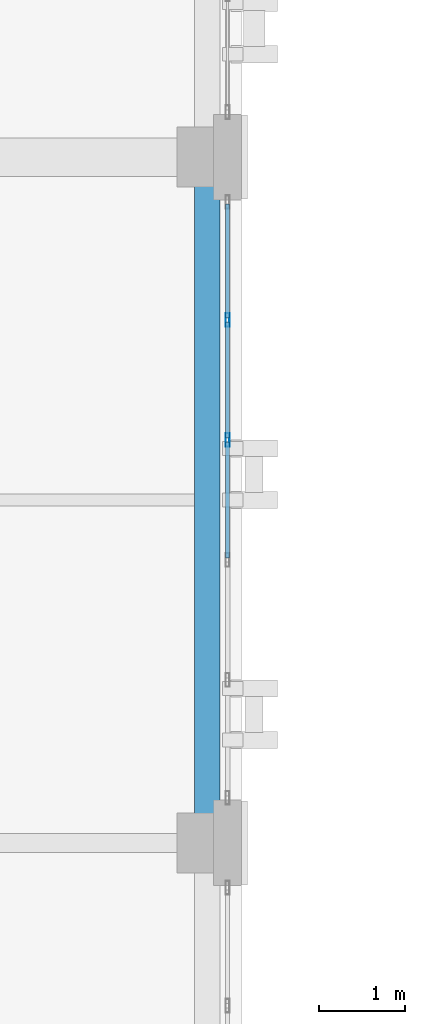
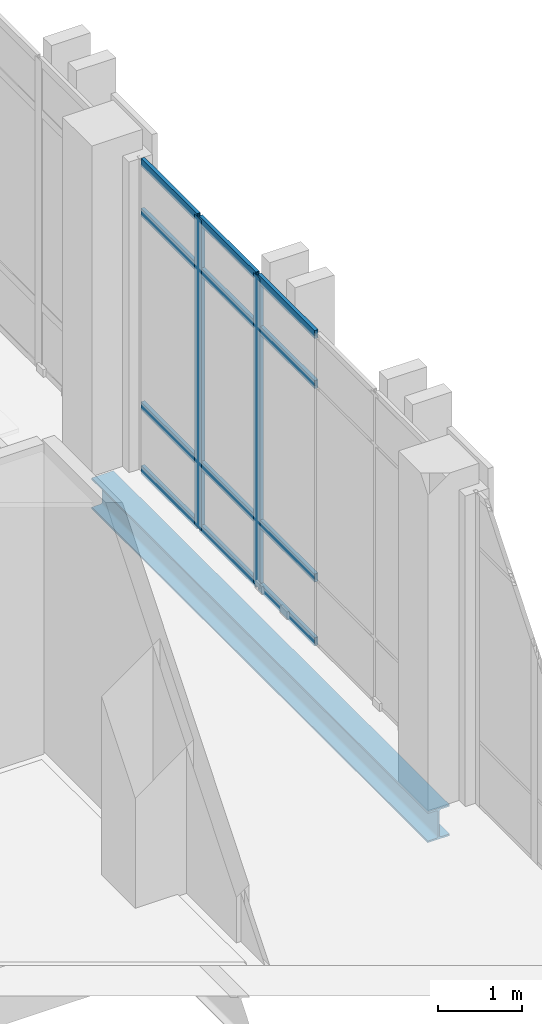
# One storey, part 30 of 189: 14 members, 1 beam, 1 element without a shape of its own.
"""IFC4 building model written with IfcOpenShell, lengths in metres."""

from ifc_helpers import new_model, si_unit, direction, frame, origin, origin_2d, place, context, subcontext, project, spatial, hollow_rectangle, i_section, extrude, material, layer, layer_set, material_profile, profile_set, type_object, element, aggregate, save


model = new_model("IFC4")

# Units and contexts
model_context = context("Model", 3, precision=1e-05, world=origin(), true_north=direction((0.0, 1.0)))
body_context = subcontext(model_context, "Body", "Model", "MODEL_VIEW")
ifc_project = project(units=[si_unit("LENGTHUNIT", "METRE"), si_unit("AREAUNIT", "SQUARE_METRE"), si_unit("VOLUMEUNIT", "CUBIC_METRE"), si_unit("PLANEANGLEUNIT", "RADIAN"), si_unit("MASSUNIT", "GRAM", prefix="KILO")], contexts=[model_context])

# Site, building, storey
site_placement = place(None, origin())
site = spatial("IfcSite", under=ifc_project, at=site_placement, CompositionType="ELEMENT")
building_placement = place(site_placement, origin())
building = spatial("IfcBuilding", under=site, at=building_placement, Name="Qalavern Law Courts", CompositionType="ELEMENT")
storey_placement = place(building_placement, frame((0.0, 0.0, 5.39990234375)))
storey = spatial("IfcBuildingStorey", under=building, at=storey_placement, Name="L01", CompositionType="ELEMENT", Elevation=5.39990234375)

# Curtain wall, members
ifc_material_1 = material(Name="Anodised aluminium and insulated glazing", Category="aluminium")
ifc_layer = layer(ifc_material_1, 0.172119140625)
ifc_layer_set = layer_set([ifc_layer], Name="Anodised aluminium and insulated glazing")
curtain_wall_type = type_object("IfcCurtainWallType", Name="ENV-CW-COURT", PredefinedType="USERDEFINED", material=ifc_layer_set)
curtain_wall_placement = place(storey_placement, origin())
curtain_wall = element("IfcCurtainWall", 1, at=curtain_wall_placement, inside=storey, type_object=curtain_wall_type, Name="V3 unitised curtain wall L01 east 3", ObjectType="UNITISED CURTAIN WALL", PredefinedType="USERDEFINED")
ifc_material_2 = material(Name="Anodised aluminium", Category="aluminium")
ifc_material_profile_1 = material_profile(ifc_material_2, hollow_rectangle(XDim=0.048095703125, YDim=0.159912109375, WallThickness=0.00390625, at=origin_2d()), Name="ALU MULLION 48x160")
ifc_profile_set_1 = profile_set([ifc_material_profile_1], Name="Anodised aluminium")
member_type_1 = type_object("IfcMemberType", Name="ENV-CWM-48x160", PredefinedType="MULLION", material=ifc_profile_set_1)
member_1_placement = place(storey_placement, frame((18.637451171875, 62.10009765625, 0.0), z_axis=(0.0, 0.0, 1.0), x_axis=(-1.0, 0.0, 0.0)))
member_1 = element("IfcMember", 2, at=member_1_placement, type_object=member_type_1, Name="CW-03 mullion 4", PredefinedType="MULLION", context=body_context, shape_type="SweptSolid", body=[
    extrude(hollow_rectangle(XDim=0.048095703125, YDim=0.159912109375, WallThickness=0.00390625, at=origin_2d()), origin(), (0.0, 0.0, 1.0), 4.510009765625),
])
member_2_placement = place(storey_placement, frame((18.637451171875, 63.5, 0.0), z_axis=(0.0, 0.0, 1.0), x_axis=(-1.0, 0.0, 0.0)))
member_2 = element("IfcMember", 3, at=member_2_placement, type_object=member_type_1, Name="CW-03 mullion 5", PredefinedType="MULLION", context=body_context, shape_type="SweptSolid", body=[
    extrude(hollow_rectangle(XDim=0.048095703125, YDim=0.159912109375, WallThickness=0.00390625, at=origin_2d()), origin(), (0.0, 0.0, 1.0), 4.510009765625),
])
ifc_material_profile_2 = material_profile(ifc_material_2, hollow_rectangle(XDim=0.048095703125, YDim=0.1201171875, WallThickness=0.00390625, at=origin_2d()), Name="ALU TRANSOM 48x120")
ifc_profile_set_2 = profile_set([ifc_material_profile_2], Name="Anodised aluminium")
member_type_2 = type_object("IfcMemberType", Name="ENV-CWT-48x120", PredefinedType="USERDEFINED", material=ifc_profile_set_2)
member_3_placement = place(storey_placement, frame((18.637451171875, 60.72412109375, 0.024169921875), z_axis=(0.0, 1.0, 0.0), x_axis=(-1.0, 0.0, 0.0)))
member_3 = element("IfcMember", 4, at=member_3_placement, type_object=member_type_2, Name="CW-03 transom 3.1", ObjectType="TRANSOM", PredefinedType="USERDEFINED", context=body_context, shape_type="SweptSolid", body=[
    extrude(hollow_rectangle(XDim=0.048095703125, YDim=0.1201171875, WallThickness=0.00390625, at=origin_2d()), origin(), (0.0, 0.0, 1.0), 1.351806640625),
])
member_4_placement = place(storey_placement, frame((18.637451171875, 60.72412109375, 0.9501953125), z_axis=(0.0, 1.0, 0.0), x_axis=(-1.0, 0.0, 0.0)))
member_4 = element("IfcMember", 5, at=member_4_placement, type_object=member_type_2, Name="CW-03 transom 3.2", ObjectType="TRANSOM", PredefinedType="USERDEFINED", context=body_context, shape_type="SweptSolid", body=[
    extrude(hollow_rectangle(XDim=0.048095703125, YDim=0.1201171875, WallThickness=0.00390625, at=origin_2d()), origin(), (0.0, 0.0, 1.0), 1.351806640625),
])
member_5_placement = place(storey_placement, frame((18.637451171875, 60.72412109375, 3.760009765625), z_axis=(0.0, 1.0, 0.0), x_axis=(-1.0, 0.0, 0.0)))
member_5 = element("IfcMember", 6, at=member_5_placement, type_object=member_type_2, Name="CW-03 transom 3.3", ObjectType="TRANSOM", PredefinedType="USERDEFINED", context=body_context, shape_type="SweptSolid", body=[
    extrude(hollow_rectangle(XDim=0.048095703125, YDim=0.1201171875, WallThickness=0.00390625, at=origin_2d()), origin(), (0.0, 0.0, 1.0), 1.351806640625),
])
member_6_placement = place(storey_placement, frame((18.637451171875, 60.72412109375, 4.486083984375), z_axis=(0.0, 1.0, 0.0), x_axis=(-1.0, 0.0, 0.0)))
member_6 = element("IfcMember", 7, at=member_6_placement, type_object=member_type_2, Name="CW-03 transom 3.4", ObjectType="TRANSOM", PredefinedType="USERDEFINED", context=body_context, shape_type="SweptSolid", body=[
    extrude(hollow_rectangle(XDim=0.048095703125, YDim=0.1201171875, WallThickness=0.00390625, at=origin_2d()), origin(), (0.0, 0.0, 1.0), 1.351806640625),
])
member_7_placement = place(storey_placement, frame((18.637451171875, 62.1240234375, 0.024169921875), z_axis=(0.0, 1.0, 0.0), x_axis=(-1.0, 0.0, 0.0)))
member_7 = element("IfcMember", 8, at=member_7_placement, type_object=member_type_2, Name="CW-03 transom 4.1", ObjectType="TRANSOM", PredefinedType="USERDEFINED", context=body_context, shape_type="SweptSolid", body=[
    extrude(hollow_rectangle(XDim=0.048095703125, YDim=0.1201171875, WallThickness=0.00390625, at=origin_2d()), origin(), (0.0, 0.0, 1.0), 1.35205078125),
])
member_8_placement = place(storey_placement, frame((18.637451171875, 62.1240234375, 0.9501953125), z_axis=(0.0, 1.0, 0.0), x_axis=(-1.0, 0.0, 0.0)))
member_8 = element("IfcMember", 9, at=member_8_placement, type_object=member_type_2, Name="CW-03 transom 4.2", ObjectType="TRANSOM", PredefinedType="USERDEFINED", context=body_context, shape_type="SweptSolid", body=[
    extrude(hollow_rectangle(XDim=0.048095703125, YDim=0.1201171875, WallThickness=0.00390625, at=origin_2d()), origin(), (0.0, 0.0, 1.0), 1.35205078125),
])
member_9_placement = place(storey_placement, frame((18.637451171875, 62.1240234375, 3.760009765625), z_axis=(0.0, 1.0, 0.0), x_axis=(-1.0, 0.0, 0.0)))
member_9 = element("IfcMember", 10, at=member_9_placement, type_object=member_type_2, Name="CW-03 transom 4.3", ObjectType="TRANSOM", PredefinedType="USERDEFINED", context=body_context, shape_type="SweptSolid", body=[
    extrude(hollow_rectangle(XDim=0.048095703125, YDim=0.1201171875, WallThickness=0.00390625, at=origin_2d()), origin(), (0.0, 0.0, 1.0), 1.35205078125),
])
member_10_placement = place(storey_placement, frame((18.637451171875, 62.1240234375, 4.486083984375), z_axis=(0.0, 1.0, 0.0), x_axis=(-1.0, 0.0, 0.0)))
member_10 = element("IfcMember", 11, at=member_10_placement, type_object=member_type_2, Name="CW-03 transom 4.4", ObjectType="TRANSOM", PredefinedType="USERDEFINED", context=body_context, shape_type="SweptSolid", body=[
    extrude(hollow_rectangle(XDim=0.048095703125, YDim=0.1201171875, WallThickness=0.00390625, at=origin_2d()), origin(), (0.0, 0.0, 1.0), 1.35205078125),
])
member_11_placement = place(storey_placement, frame((18.637451171875, 63.52392578125, 0.024169921875), z_axis=(0.0, 1.0, 0.0), x_axis=(-1.0, 0.0, 0.0)))
member_11 = element("IfcMember", 12, at=member_11_placement, type_object=member_type_2, Name="CW-03 transom 5.1", ObjectType="TRANSOM", PredefinedType="USERDEFINED", context=body_context, shape_type="SweptSolid", body=[
    extrude(hollow_rectangle(XDim=0.048095703125, YDim=0.1201171875, WallThickness=0.00390625, at=origin_2d()), origin(), (0.0, 0.0, 1.0), 1.328125),
])
member_12_placement = place(storey_placement, frame((18.637451171875, 63.52392578125, 0.9501953125), z_axis=(0.0, 1.0, 0.0), x_axis=(-1.0, 0.0, 0.0)))
member_12 = element("IfcMember", 13, at=member_12_placement, type_object=member_type_2, Name="CW-03 transom 5.2", ObjectType="TRANSOM", PredefinedType="USERDEFINED", context=body_context, shape_type="SweptSolid", body=[
    extrude(hollow_rectangle(XDim=0.048095703125, YDim=0.1201171875, WallThickness=0.00390625, at=origin_2d()), origin(), (0.0, 0.0, 1.0), 1.328125),
])
member_13_placement = place(storey_placement, frame((18.637451171875, 63.52392578125, 3.760009765625), z_axis=(0.0, 1.0, 0.0), x_axis=(-1.0, 0.0, 0.0)))
member_13 = element("IfcMember", 14, at=member_13_placement, type_object=member_type_2, Name="CW-03 transom 5.3", ObjectType="TRANSOM", PredefinedType="USERDEFINED", context=body_context, shape_type="SweptSolid", body=[
    extrude(hollow_rectangle(XDim=0.048095703125, YDim=0.1201171875, WallThickness=0.00390625, at=origin_2d()), origin(), (0.0, 0.0, 1.0), 1.328125),
])
member_14_placement = place(storey_placement, frame((18.637451171875, 63.52392578125, 4.486083984375), z_axis=(0.0, 1.0, 0.0), x_axis=(-1.0, 0.0, 0.0)))
member_14 = element("IfcMember", 15, at=member_14_placement, type_object=member_type_2, Name="CW-03 transom 5.4", ObjectType="TRANSOM", PredefinedType="USERDEFINED", context=body_context, shape_type="SweptSolid", body=[
    extrude(hollow_rectangle(XDim=0.048095703125, YDim=0.1201171875, WallThickness=0.00390625, at=origin_2d()), origin(), (0.0, 0.0, 1.0), 1.328125),
])
aggregate(curtain_wall, [member_1, member_2, member_3, member_4, member_5, member_6, member_7, member_8, member_9, member_10, member_11, member_12, member_13, member_14])

# Beam
ifc_material_3 = material(Name="Steel S355", Category="steel")
ifc_material_profile_3 = material_profile(ifc_material_3, i_section(OverallWidth=0.300048828125, OverallDepth=0.449951171875, WebThickness=0.013916015625, FlangeThickness=0.02587890625, FilletRadius=0.027099609375, at=origin_2d()), Name="HEB 450")
ifc_profile_set_3 = profile_set([ifc_material_profile_3], Name="Steel S355")
beam_type = type_object("IfcBeamType", Name="STR-SP-HEB450", PredefinedType="SPANDREL", material=ifc_profile_set_3)
beam_placement = place(storey_placement, frame((18.39990234375, 57.39990234375, -0.52490234375), z_axis=(0.0, 1.0, 0.0), x_axis=(-1.0, 0.0, 0.0)))
element("IfcBeam", 16, at=beam_placement, inside=storey, type_object=beam_type, Name="V3 Y-beam 3-3 L01", PredefinedType="SPANDREL", context=body_context, shape_type="SweptSolid", body=[
    extrude(i_section(OverallWidth=0.300048828125, OverallDepth=0.449951171875, WebThickness=0.013916015625, FlangeThickness=0.02587890625, FilletRadius=0.027099609375, at=origin_2d()), origin(), (0.0, 0.0, 1.0), 8.0),
])

save(model, "model.ifc")
